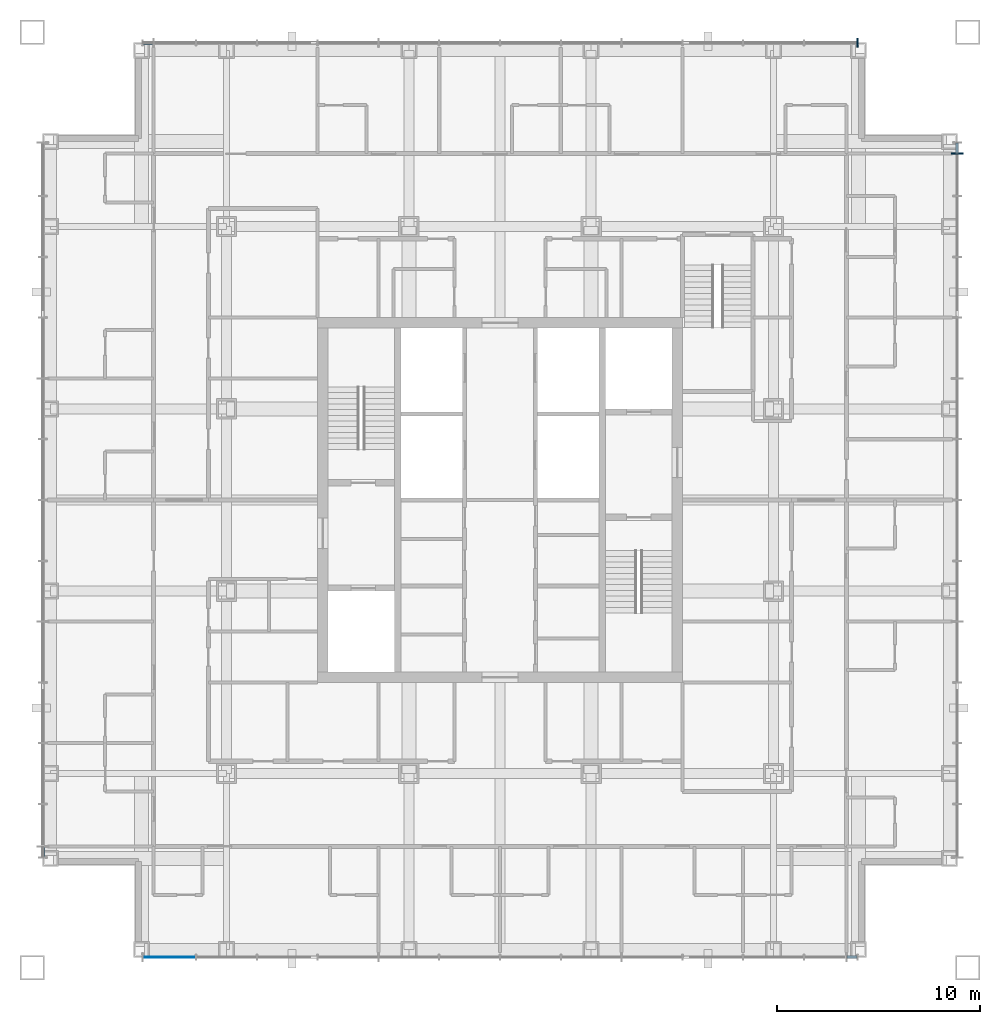
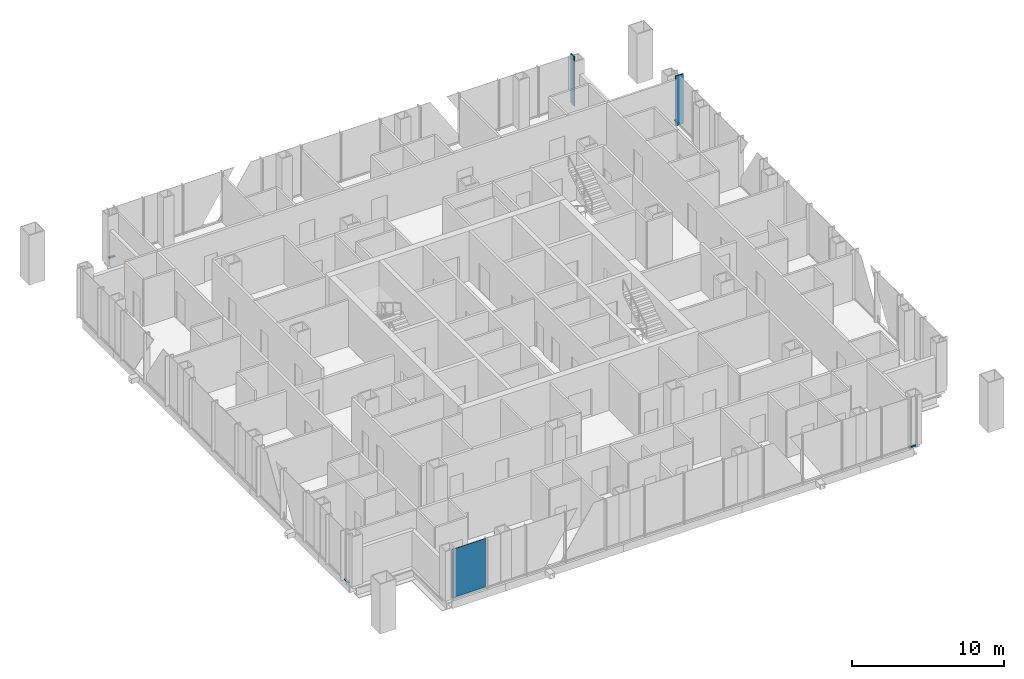
# One storey, part 5 of 21: 6 members, 1 plate, 4 elements without a shape of their own.
"""IFC4 building model written with IfcOpenShell, lengths in metres."""

from ifc_helpers import new_model, si_unit, direction, frame, origin, origin_2d, place, context, subcontext, project, spatial, rectangle, extrude, material, layer, layer_set, material_profile, profile_set, type_object, element, aggregate, save


model = new_model("IFC4")

# Units and contexts
model_context = context("Model", 3, precision=1e-05, world=origin(), true_north=direction((0.0, 1.0)))
body_context = subcontext(model_context, "Body", "Model", "MODEL_VIEW")
ifc_project = project(units=[si_unit("LENGTHUNIT", "METRE"), si_unit("AREAUNIT", "SQUARE_METRE"), si_unit("VOLUMEUNIT", "CUBIC_METRE"), si_unit("PLANEANGLEUNIT", "RADIAN"), si_unit("MASSUNIT", "GRAM", prefix="KILO")], contexts=[model_context])

# Site, building, storey
site_placement = place(None, origin())
site = spatial("IfcSite", under=ifc_project, at=site_placement, CompositionType="ELEMENT")
building_placement = place(site_placement, origin())
building = spatial("IfcBuilding", under=site, at=building_placement, Name="Malebo Sky Hospital", CompositionType="ELEMENT")
storey_placement = place(building_placement, frame((0.0, 0.0, 229.0)))
storey = spatial("IfcBuildingStorey", under=building, at=storey_placement, Name="L55", CompositionType="ELEMENT", Elevation=229.0)

# Curtain wall, member
ifc_material_1 = material(Name="Anodised aluminium, natural silver", Category="aluminium")
ifc_layer_1 = layer(ifc_material_1, 0.25)
ifc_layer_set_1 = layer_set([ifc_layer_1], Name="WARD CURTAIN WALL NORTH AND SOUTH")
curtain_wall_type_1 = type_object("IfcCurtainWallType", Name="WARD CURTAIN WALL NORTH AND SOUTH", PredefinedType="NOTDEFINED", material=ifc_layer_set_1)
curtain_wall_1_placement = place(storey_placement, origin())
curtain_wall_1 = element("IfcCurtainWall", 1, at=curtain_wall_1_placement, inside=storey, type_object=curtain_wall_type_1, Name="NS curtain wall N", PredefinedType="NOTDEFINED")
ifc_material_profile_1 = material_profile(ifc_material_1, rectangle(XDim=0.14990234375, YDim=0.10009765625, at=origin_2d()), Name="ALUMINIUM TRANSOM 150x100")
ifc_profile_set_1 = profile_set([ifc_material_profile_1], Name="Anodised aluminium, natural silver")
member_type_1 = type_object("IfcMemberType", Name="ALUMINIUM TRANSOM 150x100", PredefinedType="USERDEFINED", material=ifc_profile_set_1)
member_1_placement = place(storey_placement, frame((42.375, 84.574951171875, 0.050048828125), z_axis=(1.0, 0.0, 0.0), x_axis=(0.0, 1.0, 0.0)))
member_1 = element("IfcMember", 2, at=member_1_placement, type_object=member_type_1, Name="Transom 1", ObjectType="TRANSOM", PredefinedType="USERDEFINED", context=body_context, shape_type="SweptSolid", body=[
    extrude(rectangle(XDim=0.14990234375, YDim=0.10009765625, at=origin_2d()), origin(), (0.0, 0.0, 1.0), 0.487548828125),
])

ifc_layer_2 = layer(ifc_material_1, 0.25)
ifc_layer_set_2 = layer_set([ifc_layer_2], Name="WARD CURTAIN WALL EAST AND WEST")
curtain_wall_type_2 = type_object("IfcCurtainWallType", Name="WARD CURTAIN WALL EAST AND WEST", PredefinedType="NOTDEFINED", material=ifc_layer_set_2)
curtain_wall_2_placement = place(storey_placement, origin())
curtain_wall_2 = element("IfcCurtainWall", 3, at=curtain_wall_2_placement, inside=storey, type_object=curtain_wall_type_2, Name="EW curtain wall W", PredefinedType="NOTDEFINED")
member_2_placement = place(storey_placement, frame((37.425048828125, 44.375, 0.050048828125), z_axis=(0.0, 1.0, 0.0), x_axis=(-1.0, 0.0, 0.0)))
member_2 = element("IfcMember", 4, at=member_2_placement, type_object=member_type_1, Name="Transom 1", ObjectType="TRANSOM", PredefinedType="USERDEFINED", context=body_context, shape_type="SweptSolid", body=[
    extrude(rectangle(XDim=0.14990234375, YDim=0.10009765625, at=origin_2d()), origin(), (0.0, 0.0, 1.0), 0.487548828125),
])
aggregate(curtain_wall_2, [member_2])

curtain_wall_3_placement = place(storey_placement, origin())
curtain_wall_3 = element("IfcCurtainWall", 5, at=curtain_wall_3_placement, inside=storey, type_object=curtain_wall_type_1, Name="NS curtain wall S", PredefinedType="NOTDEFINED")
member_3_placement = place(storey_placement, frame((77.625, 39.425048828125, 0.050048828125), z_axis=(-1.0, 0.0, 0.0), x_axis=(0.0, -1.0, 0.0)))
member_3 = element("IfcMember", 6, at=member_3_placement, type_object=member_type_1, Name="Transom 1", ObjectType="TRANSOM", PredefinedType="USERDEFINED", context=body_context, shape_type="SweptSolid", body=[
    extrude(rectangle(XDim=0.14990234375, YDim=0.10009765625, at=origin_2d()), origin(), (0.0, 0.0, 1.0), 0.487548828125),
])

curtain_wall_4_placement = place(storey_placement, origin())
curtain_wall_4 = element("IfcCurtainWall", 7, at=curtain_wall_4_placement, inside=storey, type_object=curtain_wall_type_2, Name="EW curtain wall E", PredefinedType="NOTDEFINED")
member_4_placement = place(storey_placement, frame((82.574951171875, 79.625, 0.050048828125), z_axis=(0.0, -1.0, 0.0), x_axis=(1.0, 0.0, 0.0)))
member_4 = element("IfcMember", 8, at=member_4_placement, type_object=member_type_1, Name="Transom 1", ObjectType="TRANSOM", PredefinedType="USERDEFINED", context=body_context, shape_type="SweptSolid", body=[
    extrude(rectangle(XDim=0.14990234375, YDim=0.10009765625, at=origin_2d()), origin(), (0.0, 0.0, 1.0), 0.487548828125),
])

# Member
ifc_material_profile_2 = material_profile(ifc_material_1, rectangle(XDim=0.074951171875, YDim=0.449951171875, at=origin_2d()), Name="CW1 ALUMINIUM FIN MULLION 75x450")
ifc_profile_set_2 = profile_set([ifc_material_profile_2], Name="Anodised aluminium, natural silver")
member_type_2 = type_object("IfcMemberType", Name="CW1 ALUMINIUM FIN MULLION 75x450", PredefinedType="MULLION", material=ifc_profile_set_2)
member_5_placement = place(storey_placement, frame((77.66259765625, 84.574951171875, 0.0), z_axis=(0.0, 0.0, 1.0), x_axis=(1.0, 0.0, 0.0)))
member_5 = element("IfcMember", 9, at=member_5_placement, type_object=member_type_2, Name="Fin mullion 14", PredefinedType="MULLION", context=body_context, shape_type="SweptSolid", body=[
    extrude(rectangle(XDim=0.074951171875, YDim=0.449951171875, at=origin_2d()), origin(), (0.0, 0.0, 1.0), 4.0),
])

aggregate(curtain_wall_1, [member_5, member_1])

ifc_material_profile_3 = material_profile(ifc_material_1, rectangle(XDim=0.074951171875, YDim=0.60009765625, at=origin_2d()), Name="CW2 ALUMINIUM FIN MULLION 75x600")
ifc_profile_set_3 = profile_set([ifc_material_profile_3], Name="Anodised aluminium, natural silver")
member_type_3 = type_object("IfcMemberType", Name="CW2 ALUMINIUM FIN MULLION 75x600", PredefinedType="MULLION", material=ifc_profile_set_3)
member_6_placement = place(storey_placement, frame((82.574951171875, 79.10009765625, 0.0), z_axis=(0.0, 0.0, 1.0), x_axis=(0.0, -1.0, 0.0)))
member_6 = element("IfcMember", 10, at=member_6_placement, type_object=member_type_3, Name="Fin mullion 2", PredefinedType="MULLION", context=body_context, shape_type="SweptSolid", body=[
    extrude(rectangle(XDim=0.074951171875, YDim=0.60009765625, at=origin_2d()), origin(), (0.0, 0.0, 1.0), 4.0),
])

aggregate(curtain_wall_4, [member_6, member_4])

# Plate
ifc_material_2 = material(Name="Clear low-iron double glazing", Category="glass")
ifc_layer_3 = layer(ifc_material_2, 0.031982421875)
ifc_layer_set_3 = layer_set([ifc_layer_3], Name="VISION PANEL CLEAR 32")
plate_type = type_object("IfcPlateType", Name="VISION PANEL CLEAR 32", PredefinedType="CURTAIN_PANEL", material=ifc_layer_set_3)
plate_placement = place(storey_placement, frame((43.668701171875, 39.425048828125, 0.10009765625), z_axis=(0.0, 0.0, 1.0), x_axis=(-1.0, 0.0, 0.0)))
plate = element("IfcPlate", 11, at=plate_placement, type_object=plate_type, Name="Panel 13", PredefinedType="CURTAIN_PANEL", context=body_context, shape_type="SweptSolid", body=[
    extrude(rectangle(XDim=2.58740234375, YDim=0.031982421875, at=origin_2d()), origin(), (0.0, 0.0, 1.0), 3.889892578125),
])

aggregate(curtain_wall_3, [member_3, plate])

save(model, "model.ifc")
